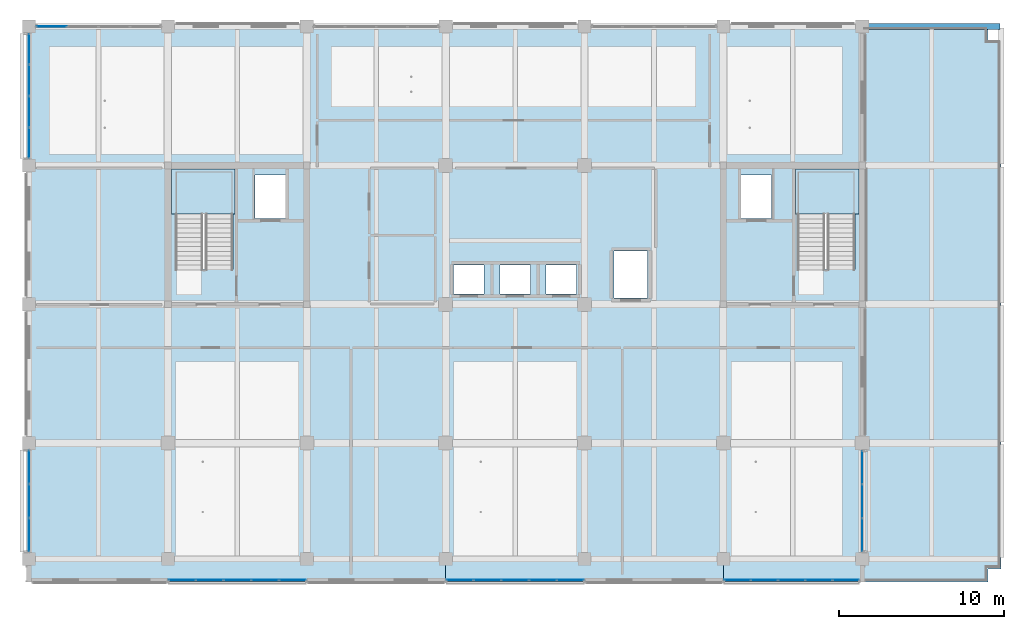
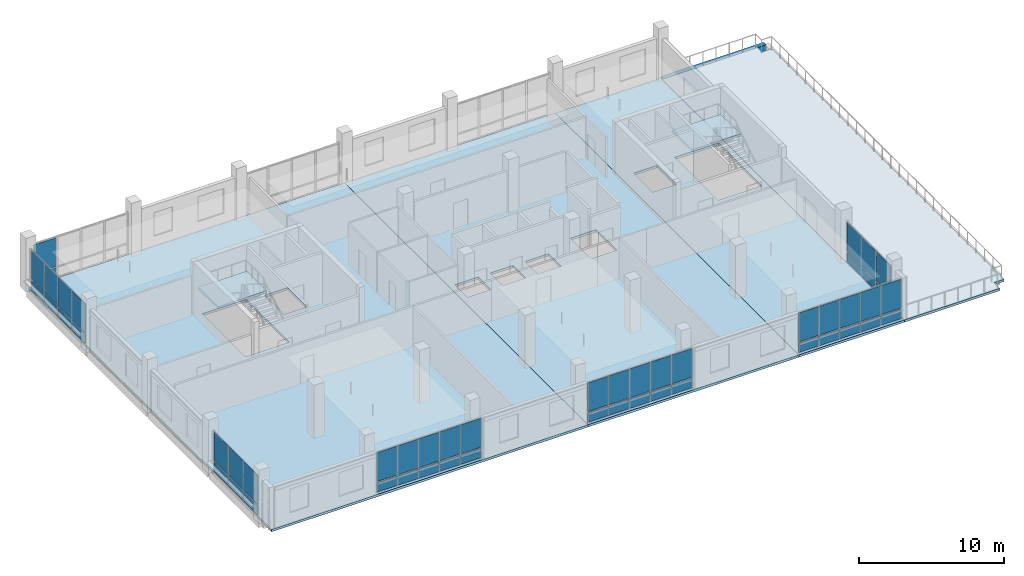
# One storey, part 10 of 36: 52 plates, 6 slabs, 1 beam, 9 elements without a shape of their own.
"""IFC4 building model written with IfcOpenShell, lengths in metres."""

import ifcopenshell
import ifcopenshell.guid

model = None  # the IFC model being written
_history = None  # IfcOwnerHistory: only IFC2X3 demands one
_inside = {}  # id of a spatial element -> (the spatial element, [elements in it])
_under = {}  # id of a project, library or spatial element -> (it, [spatial elements below it])
_declared = {}  # id of a project -> (the project, [libraries it declares])
_typed = {}  # id of a type object -> (the type object, [elements of that type])
_made_of = {}  # id of a material, layer set ... -> (it, [elements and type objects made of it])


def new_model(schema):
    """Start an empty IFC model of exactly this schema.

    Asked for "IFC4X3", IfcOpenShell would pick the latest addendum, in which some entities
    have other attributes; the version numbers below select the first issue.
    IFC2X3 requires an IfcOwnerHistory on every rooted entity: one is made here for all.
    """
    global model, _history
    if schema == "IFC4X3":
        model = ifcopenshell.file(schema_version=(4, 3, 0, 0))
    else:
        model = ifcopenshell.file(schema=schema)
    _inside.clear()
    _under.clear()
    _declared.clear()
    _typed.clear()
    _made_of.clear()
    _history = None
    if model.schema == "IFC2X3":
        org = make("IfcOrganization", Name="unknown")
        user = make(
            "IfcPersonAndOrganization",
            ThePerson=make("IfcPerson", FamilyName="unknown"),
            TheOrganization=org,
        )
        app = make(
            "IfcApplication",
            ApplicationDeveloper=org,
            Version="unknown",
            ApplicationFullName="unknown",
            ApplicationIdentifier="unknown",
        )
        _history = make(
            "IfcOwnerHistory",
            OwningUser=user,
            OwningApplication=app,
            ChangeAction="ADDED",
            CreationDate=0,
        )
    return model


def make(cls, **values):
    """One entity of the class cls with the attributes given. An attribute that is None is left unset."""
    return model.create_entity(
        cls, **{name: value for name, value in values.items() if value is not None}
    )


def rooted(cls, **values):
    """An entity with a GlobalId (a new one), such as an element, a storey or a relation."""
    return make(cls, GlobalId=ifcopenshell.guid.new(), OwnerHistory=_history, **values)


def si_unit(unit_type, name, prefix=None):
    """IfcSIUnit, for example si_unit("LENGTHUNIT", "METRE", prefix="MILLI")."""
    return make("IfcSIUnit", UnitType=unit_type, Prefix=prefix, Name=name)


def assignment(units):
    """IfcUnitAssignment: the units of a project."""
    return None if units is None else make("IfcUnitAssignment", Units=units)


def point(xyz):
    """IfcCartesianPoint."""
    return None if xyz is None else make("IfcCartesianPoint", Coordinates=xyz)


def direction(xyz):
    """IfcDirection."""
    return None if xyz is None else make("IfcDirection", DirectionRatios=xyz)


def frame(location, z_axis=None, x_axis=None):
    """IfcAxis2Placement3D, a coordinate frame: its origin and axes. An axis left out is left unset."""
    return make(
        "IfcAxis2Placement3D",
        Location=point(location),
        Axis=direction(z_axis),
        RefDirection=direction(x_axis),
    )


def frame_2d(location, x_axis=None):
    """IfcAxis2Placement2D, a coordinate frame in the plane: its origin and x axis."""
    return make(
        "IfcAxis2Placement2D", Location=point(location), RefDirection=direction(x_axis)
    )


def origin():
    """The frame at (0, 0, 0) with its axes left unset."""
    return frame((0.0, 0.0, 0.0))


def origin_2d():
    """The frame at (0, 0) in the plane with its x axis left unset."""
    return frame_2d((0.0, 0.0))


def place(relative_to, where):
    """IfcLocalPlacement: puts the frame where relative to a parent placement (None: the world)."""
    return make(
        "IfcLocalPlacement", PlacementRelTo=relative_to, RelativePlacement=where
    )


def context(
    kind, dimensions, precision=None, world=None, true_north=None, identifier=None
):
    """IfcGeometricRepresentationContext, for example the 3D "Model" context."""
    return make(
        "IfcGeometricRepresentationContext",
        ContextIdentifier=identifier,
        ContextType=kind,
        CoordinateSpaceDimension=dimensions,
        Precision=precision,
        WorldCoordinateSystem=world,
        TrueNorth=true_north,
    )


def subcontext(parent, identifier, kind, view, scale=None):
    """IfcGeometricRepresentationSubContext, for example "Body" below "Model"."""
    return make(
        "IfcGeometricRepresentationSubContext",
        ContextIdentifier=identifier,
        ContextType=kind,
        ParentContext=parent,
        TargetScale=scale,
        TargetView=view,
    )


def project(units=None, contexts=None):
    """IfcProject with its units and contexts."""
    return rooted(
        "IfcProject",
        Name="project",
        RepresentationContexts=contexts,
        UnitsInContext=assignment(units),
    )


def spatial(cls, under=None, at=None, **own):
    """A site, building, storey or space (cls), placed at a placement, below another one or the project."""
    s = rooted(cls, ObjectPlacement=at, **own)
    if under is not None:
        _under.setdefault(under.id(), (under, []))[1].append(s)
    return s


def polyline(points):
    """IfcPolyline through the points."""
    return make("IfcPolyline", Points=[point(p) for p in points])


def profile(cls, at=None, kind="AREA", **sizes):
    """A parametric profile (cls). Its sizes go by their IFC names, for example OverallWidth=200.0."""
    return make(cls, ProfileType=kind, Position=at, **sizes)


def rectangle(**sizes):
    """IfcRectangleProfileDef."""
    return profile("IfcRectangleProfileDef", **sizes)


def outline(outer, holes=None, kind="AREA"):
    """IfcArbitraryClosedProfileDef: a profile drawn as a closed curve; with holes, ...WithVoids."""
    if holes is None:
        return make("IfcArbitraryClosedProfileDef", ProfileType=kind, OuterCurve=outer)
    return make(
        "IfcArbitraryProfileDefWithVoids",
        ProfileType=kind,
        OuterCurve=outer,
        InnerCurves=holes,
    )


def extrude(swept, where, along, depth):
    """IfcExtrudedAreaSolid: the profile swept, set in the frame where, extruded along a direction by depth."""
    return make(
        "IfcExtrudedAreaSolid",
        SweptArea=swept,
        Position=where,
        ExtrudedDirection=direction(along),
        Depth=depth,
    )


def shape(context_of_items, identifier, shape_type, items):
    """IfcShapeRepresentation: the items that make up one representation, for example the "Body"."""
    return make(
        "IfcShapeRepresentation",
        ContextOfItems=context_of_items,
        RepresentationIdentifier=identifier,
        RepresentationType=shape_type,
        Items=items,
    )


def material(Name=None, Category=None):
    """IfcMaterial."""
    return make("IfcMaterial", Name=Name, Category=Category)


def layer(
    of_material, thickness, ventilated=None, Name=None, Category=None, Priority=None
):
    """IfcMaterialLayer: one layer of a wall or slab, of a material (None: an air gap)."""
    return make(
        "IfcMaterialLayer",
        Material=of_material,
        LayerThickness=thickness,
        IsVentilated=ventilated,
        Name=Name,
        Category=Category,
        Priority=Priority,
    )


def layer_set(layers, Name=None):
    """IfcMaterialLayerSet."""
    return make("IfcMaterialLayerSet", MaterialLayers=layers, LayerSetName=Name)


def material_profile(
    of_material, cross_section, Name=None, Category=None, Priority=None
):
    """IfcMaterialProfile: a cross section and its material."""
    return make(
        "IfcMaterialProfile",
        Name=Name,
        Material=of_material,
        Profile=cross_section,
        Priority=Priority,
        Category=Category,
    )


def profile_set(profiles, Name=None, composite=None):
    """IfcMaterialProfileSet."""
    return make(
        "IfcMaterialProfileSet",
        Name=Name,
        MaterialProfiles=profiles,
        CompositeProfile=composite,
    )


def made_of(thing, what):
    """Note that an element or type object is made of a material, layer set ...; save() writes the relation."""
    if what is not None:
        _made_of.setdefault(what.id(), (what, []))[1].append(thing)
    return thing


def type_object(cls, material=None, **own):
    """A type object (cls), such as IfcWallType, which elements share."""
    return made_of(rooted(cls, **own), material)


def element(
    cls,
    number,
    at=None,
    inside=None,
    cuts=None,
    type_object=None,
    material=None,
    context=None,
    identifier="Body",
    shape_type=None,
    held_by="IfcProductDefinitionShape",
    body=None,
    shapes=None,
    **own,
):
    """One element of the class cls, such as IfcWall. Its Tag is "e" and its number.

    at: its placement. inside: the storey or other place that contains it. cuts: it is an
    opening in that element (IfcRelVoidsElement). A single representation is given by context,
    identifier, shape_type and body (its items); several are given by shapes. held_by: the class
    of the entity that holds the representations. save() writes the other relations.
    """
    e = rooted(cls, Tag="e%d" % number, ObjectPlacement=at, **own)
    if body is not None:
        shapes = [shape(context, identifier, shape_type, body)]
    if shapes is not None:
        e.Representation = make(held_by, Representations=shapes)
    if inside is not None:
        _inside.setdefault(inside.id(), (inside, []))[1].append(e)
    if cuts is not None:
        rooted(
            "IfcRelVoidsElement", RelatingBuildingElement=cuts, RelatedOpeningElement=e
        )
    if type_object is not None:
        _typed.setdefault(type_object.id(), (type_object, []))[1].append(e)
    return made_of(e, material)


def aggregate(whole, parts):
    """IfcRelAggregates: a whole, such as a stair, and the parts it consists of."""
    return rooted("IfcRelAggregates", RelatingObject=whole, RelatedObjects=parts)


def save(model, path):
    """Write the relations noted so far, then the file.

    IfcRelAggregates (storeys below a building ...), IfcRelContainedInSpatialStructure (elements
    in a storey), IfcRelDefinesByType, IfcRelAssociatesMaterial and IfcRelDeclares: one each for
    every whole, place, type object, material and project.
    """
    for whole, parts in _under.values():
        aggregate(whole, parts)
    for where, things in _inside.values():
        rooted(
            "IfcRelContainedInSpatialStructure",
            RelatedElements=things,
            RelatingStructure=where,
        )
    for kind, things in _typed.values():
        rooted("IfcRelDefinesByType", RelatedObjects=things, RelatingType=kind)
    for what, things in _made_of.values():
        rooted("IfcRelAssociatesMaterial", RelatedObjects=things, RelatingMaterial=what)
    for by, libraries in _declared.values():
        rooted("IfcRelDeclares", RelatingContext=by, RelatedDefinitions=libraries)
    model.write(path)


model = new_model("IFC4")

# Units and contexts
model_context = context("Model", 3, precision=1e-05, world=origin(), true_north=direction((0.0, 1.0)))
body_context = subcontext(model_context, "Body", "Model", "MODEL_VIEW")
ifc_project = project(units=[si_unit("LENGTHUNIT", "METRE"), si_unit("AREAUNIT", "SQUARE_METRE"), si_unit("VOLUMEUNIT", "CUBIC_METRE"), si_unit("PLANEANGLEUNIT", "RADIAN"), si_unit("MASSUNIT", "GRAM", prefix="KILO")], contexts=[model_context])

# Site, building, storey
site_placement = place(None, origin())
site = spatial("IfcSite", under=ifc_project, at=site_placement, CompositionType="ELEMENT")
building_placement = place(site_placement, origin())
building = spatial("IfcBuilding", under=site, at=building_placement, Name="Telukmera Botanical Conservatory", CompositionType="ELEMENT")
storey_placement = place(building_placement, frame((0.0, 0.0, 33.0)))
storey = spatial("IfcBuildingStorey", under=building, at=storey_placement, Name="L07", CompositionType="ELEMENT", Elevation=33.0)

# Beam
ifc_material_1 = material(Name="Precast concrete C40/50", Category="concrete")
ifc_material_profile = material_profile(ifc_material_1, rectangle(XDim=0.35009765625, YDim=0.699951171875, at=origin_2d()), Name="PC 350x700")
ifc_profile_set = profile_set([ifc_material_profile], Name="Precast concrete C40/50")
beam_type = type_object("IfcBeamType", Name="Beam_SP2", PredefinedType="SPANDREL", material=ifc_profile_set)
beam_placement = place(storey_placement, frame((100.8798828125, 42.800048828125, -0.35009765625), z_axis=(1.0, 0.0, 0.0), x_axis=(0.0, 1.0, 0.0)))
element("IfcBeam", 1, at=beam_placement, inside=storey, type_object=beam_type, Name="Tower Grid Beam L07", PredefinedType="SPANDREL", context=body_context, shape_type="SweptSolid", body=[
    extrude(rectangle(XDim=0.35009765625, YDim=0.699951171875, at=origin_2d()), origin(), (0.0, 0.0, 1.0), 8.240234375),
])

# Stair, slab
ifc_material_2 = material(Name="Concrete C40/50", Category="concrete")
stair_type = type_object("IfcStairType", Name="ST-ESC-4500", PredefinedType="HALF_TURN_STAIR", material=ifc_material_2)
stair_1_placement = place(storey_placement, origin())
stair_1 = element("IfcStair", 2, at=stair_1_placement, inside=storey, type_object=stair_type, Name="L07 Protected Escape Stair ST1", PredefinedType="HALF_TURN_STAIR")
ifc_layer_1 = layer(ifc_material_2, 0.199951171875)
ifc_layer_set_1 = layer_set([ifc_layer_1], Name="Concrete C40/50")
slab_type_1 = type_object("IfcSlabType", Name="SL-LAND-200", PredefinedType="LANDING", material=ifc_layer_set_1)
slab_1_placement = place(storey_placement, frame((0.0, 0.0, 2.050048828125)))
slab_1 = element("IfcSlab", 3, at=slab_1_placement, type_object=slab_type_1, Name="ST1 landing 1", PredefinedType="LANDING", context=body_context, shape_type="SweptSolid", body=[
    extrude(outline(polyline([(59.0048828125, 31.449951171875), (62.844970703125, 31.449951171875), (62.844970703125, 34.195068359375), (59.0048828125, 34.195068359375), (59.0048828125, 31.449951171875)])), origin(), (0.0, 0.0, 1.0), 0.199951171875),
])
aggregate(stair_1, [slab_1])

stair_2_placement = place(storey_placement, origin())
stair_2 = element("IfcStair", 4, at=stair_2_placement, inside=storey, type_object=stair_type, Name="L07 Protected Escape Stair ST2", PredefinedType="HALF_TURN_STAIR")
slab_2_placement = place(storey_placement, frame((0.0, 0.0, 2.050048828125)))
slab_2 = element("IfcSlab", 5, at=slab_2_placement, type_object=slab_type_1, Name="ST2 landing 1", PredefinedType="LANDING", context=body_context, shape_type="SweptSolid", body=[
    extrude(outline(polyline([(96.7548828125, 31.449951171875), (100.594970703125, 31.449951171875), (100.594970703125, 34.195068359375), (96.7548828125, 34.195068359375), (96.7548828125, 31.449951171875)])), origin(), (0.0, 0.0, 1.0), 0.199951171875),
])
aggregate(stair_2, [slab_2])

# Slabs
ifc_layer_2 = layer(ifc_material_2, 0.199951171875)
ifc_layer_set_2 = layer_set([ifc_layer_2], Name="Concrete C40/50")
slab_type_2 = type_object("IfcSlabType", Name="Slab_FS20", PredefinedType="FLOOR", material=ifc_layer_set_2)
slab_3_placement = place(storey_placement, frame((0.0, 0.0, -0.199951171875)))
element("IfcSlab", 6, at=slab_3_placement, inside=storey, type_object=slab_type_2, Name="Tower Floor Slab L07 (WEST)", PredefinedType="FLOOR", context=body_context, shape_type="SweptSolid", body=[
    extrude(outline(polyline([(50.39990234375, 9.199951171875), (75.60009765625, 9.199951171875), (75.60009765625, 42.800048828125), (50.39990234375, 42.800048828125), (50.39990234375, 9.199951171875)]), holes=[polyline([(62.72998046875, 28.093017578125), (62.72998046875, 34.050048828125), (59.25, 34.050048828125), (59.25, 28.093017578125), (62.72998046875, 28.093017578125)]), polyline([(64.080078125, 31.179931640625), (65.919921875, 31.179931640625), (65.919921875, 33.820068359375), (64.080078125, 33.820068359375), (64.080078125, 31.179931640625)])]), origin(), (0.0, 0.0, 1.0), 0.199951171875),
])
slab_4_placement = place(storey_placement, frame((0.0, 0.0, -0.199951171875)))
element("IfcSlab", 7, at=slab_4_placement, inside=storey, type_object=slab_type_2, Name="Tower Floor Slab L07 (CENT)", PredefinedType="FLOOR", context=body_context, shape_type="SweptSolid", body=[
    extrude(outline(polyline([(75.60009765625, 9.199951171875), (92.39990234375, 9.199951171875), (92.39990234375, 42.800048828125), (75.60009765625, 42.800048828125), (75.60009765625, 9.199951171875)]), holes=[polyline([(85.780029296875, 26.3798828125), (87.820068359375, 26.3798828125), (87.820068359375, 29.219970703125), (85.780029296875, 29.219970703125), (85.780029296875, 26.3798828125)]), polyline([(76.080078125, 26.6298828125), (77.919921875, 26.6298828125), (77.919921875, 28.3701171875), (76.080078125, 28.3701171875), (76.080078125, 26.6298828125)]), polyline([(78.8798828125, 26.6298828125), (80.719970703125, 26.6298828125), (80.719970703125, 28.3701171875), (78.8798828125, 28.3701171875), (78.8798828125, 26.6298828125)]), polyline([(81.679931640625, 26.6298828125), (83.52001953125, 26.6298828125), (83.52001953125, 28.3701171875), (81.679931640625, 28.3701171875), (81.679931640625, 26.6298828125)])]), origin(), (0.0, 0.0, 1.0), 0.199951171875),
])
slab_5_placement = place(storey_placement, frame((0.0, 0.0, -0.199951171875)))
element("IfcSlab", 8, at=slab_5_placement, inside=storey, type_object=slab_type_2, Name="Tower Floor Slab L07 (EAST)", PredefinedType="FLOOR", context=body_context, shape_type="SweptSolid", body=[
    extrude(outline(polyline([(92.39990234375, 9.199951171875), (100.800048828125, 9.199951171875), (100.800048828125, 42.800048828125), (92.39990234375, 42.800048828125), (92.39990234375, 9.199951171875)]), holes=[polyline([(100.35009765625, 28.093017578125), (100.35009765625, 34.050048828125), (96.8701171875, 34.050048828125), (96.8701171875, 28.093017578125), (100.35009765625, 28.093017578125)]), polyline([(93.47998046875, 31.179931640625), (95.320068359375, 31.179931640625), (95.320068359375, 33.820068359375), (93.47998046875, 33.820068359375), (93.47998046875, 31.179931640625)])]), origin(), (0.0, 0.0, 1.0), 0.199951171875),
])
ifc_layer_3 = layer(ifc_material_2, 0.199951171875)
ifc_layer_set_3 = layer_set([ifc_layer_3], Name="Concrete C40/50")
slab_type_3 = type_object("IfcSlabType", Name="Slab_TS20", PredefinedType="FLOOR", material=ifc_layer_set_3)
slab_6_placement = place(storey_placement, frame((0.0, 0.0, -0.199951171875)))
element("IfcSlab", 9, at=slab_6_placement, inside=storey, type_object=slab_type_3, Name="Tower Botanical Sky Terrace Slab L07", PredefinedType="FLOOR", context=body_context, shape_type="SweptSolid", body=[
    extrude(outline(polyline([(100.800048828125, 9.199951171875), (108.39990234375, 9.199951171875), (108.39990234375, 10.0), (109.199951171875, 10.0), (109.199951171875, 42.0), (108.39990234375, 42.0), (108.39990234375, 42.800048828125), (100.800048828125, 42.800048828125), (100.800048828125, 9.199951171875)])), origin(), (0.0, 0.0, 1.0), 0.199951171875),
])

# Curtain wall, plates
ifc_material_3 = material(Name="Anodised aluminium 6063-T6", Category="aluminium")
ifc_layer_4 = layer(ifc_material_3, 0.179931640625)
ifc_layer_set_4 = layer_set([ifc_layer_4], Name="Anodised aluminium 6063-T6")
curtain_wall_type = type_object("IfcCurtainWallType", Name="Tower Research Laboratory Unitised Curtain Wall", PredefinedType="USERDEFINED", material=ifc_layer_set_4)
curtain_wall_1_placement = place(storey_placement, origin())
curtain_wall_1 = element("IfcCurtainWall", 10, at=curtain_wall_1_placement, inside=storey, type_object=curtain_wall_type, Name="Unitised Curtain Wall CW15 V4:L07:S2", ObjectType="UNITISED CURTAIN WALL", PredefinedType="USERDEFINED")
ifc_material_4 = material(Name="Spectrally selective low-E double glazing", Category="glass")
ifc_layer_5 = layer(ifc_material_4, 0.028076171875)
ifc_layer_set_5 = layer_set([ifc_layer_5], Name="Spectrally selective low-E double glazing")
plate_type = type_object("IfcPlateType", Name="Spectrally Selective Vision Double Glazing Panel 28", PredefinedType="CURTAIN_PANEL", material=ifc_layer_set_5)
plate_1_placement = place(storey_placement, frame((59.656494140625, 9.320068359375, 0.10986328125), z_axis=(0.0, 0.0, 1.0), x_axis=(1.0, 0.0, 0.0)))
plate_1 = element("IfcPlate", 11, at=plate_1_placement, type_object=plate_type, Name="CW15 panel 1.1", PredefinedType="CURTAIN_PANEL", context=body_context, shape_type="SweptSolid", body=[
    extrude(rectangle(XDim=1.589111328125, YDim=0.028076171875, at=origin_2d()), origin(), (0.0, 0.0, 1.0), 0.784912109375),
])
plate_2_placement = place(storey_placement, frame((59.656494140625, 9.320068359375, 1.0048828125), z_axis=(0.0, 0.0, 1.0), x_axis=(1.0, 0.0, 0.0)))
plate_2 = element("IfcPlate", 12, at=plate_2_placement, type_object=plate_type, Name="CW15 panel 1.2", PredefinedType="CURTAIN_PANEL", context=body_context, shape_type="SweptSolid", body=[
    extrude(rectangle(XDim=1.589111328125, YDim=0.028076171875, at=origin_2d()), origin(), (0.0, 0.0, 1.0), 2.43505859375),
])
plate_3_placement = place(storey_placement, frame((61.32080078125, 9.320068359375, 0.10986328125), z_axis=(0.0, 0.0, 1.0), x_axis=(1.0, 0.0, 0.0)))
plate_3 = element("IfcPlate", 13, at=plate_3_placement, type_object=plate_type, Name="CW15 panel 2.1", PredefinedType="CURTAIN_PANEL", context=body_context, shape_type="SweptSolid", body=[
    extrude(rectangle(XDim=1.619140625, YDim=0.028076171875, at=origin_2d()), origin(), (0.0, 0.0, 1.0), 0.784912109375),
])
plate_4_placement = place(storey_placement, frame((61.32080078125, 9.320068359375, 1.0048828125), z_axis=(0.0, 0.0, 1.0), x_axis=(1.0, 0.0, 0.0)))
plate_4 = element("IfcPlate", 14, at=plate_4_placement, type_object=plate_type, Name="CW15 panel 2.2", PredefinedType="CURTAIN_PANEL", context=body_context, shape_type="SweptSolid", body=[
    extrude(rectangle(XDim=1.619140625, YDim=0.028076171875, at=origin_2d()), origin(), (0.0, 0.0, 1.0), 2.43505859375),
])
plate_5_placement = place(storey_placement, frame((63.0, 9.320068359375, 0.10986328125), z_axis=(0.0, 0.0, 1.0), x_axis=(1.0, 0.0, 0.0)))
plate_5 = element("IfcPlate", 15, at=plate_5_placement, type_object=plate_type, Name="CW15 panel 3.1", PredefinedType="CURTAIN_PANEL", context=body_context, shape_type="SweptSolid", body=[
    extrude(rectangle(XDim=1.619140625, YDim=0.028076171875, at=origin_2d()), origin(), (0.0, 0.0, 1.0), 0.784912109375),
])
plate_6_placement = place(storey_placement, frame((63.0, 9.320068359375, 1.0048828125), z_axis=(0.0, 0.0, 1.0), x_axis=(1.0, 0.0, 0.0)))
plate_6 = element("IfcPlate", 16, at=plate_6_placement, type_object=plate_type, Name="CW15 panel 3.2", PredefinedType="CURTAIN_PANEL", context=body_context, shape_type="SweptSolid", body=[
    extrude(rectangle(XDim=1.619140625, YDim=0.028076171875, at=origin_2d()), origin(), (0.0, 0.0, 1.0), 2.43505859375),
])
plate_7_placement = place(storey_placement, frame((64.67919921875, 9.320068359375, 0.10986328125), z_axis=(0.0, 0.0, 1.0), x_axis=(1.0, 0.0, 0.0)))
plate_7 = element("IfcPlate", 17, at=plate_7_placement, type_object=plate_type, Name="CW15 panel 4.1", PredefinedType="CURTAIN_PANEL", context=body_context, shape_type="SweptSolid", body=[
    extrude(rectangle(XDim=1.619140625, YDim=0.028076171875, at=origin_2d()), origin(), (0.0, 0.0, 1.0), 0.784912109375),
])
plate_8_placement = place(storey_placement, frame((64.67919921875, 9.320068359375, 1.0048828125), z_axis=(0.0, 0.0, 1.0), x_axis=(1.0, 0.0, 0.0)))
plate_8 = element("IfcPlate", 18, at=plate_8_placement, type_object=plate_type, Name="CW15 panel 4.2", PredefinedType="CURTAIN_PANEL", context=body_context, shape_type="SweptSolid", body=[
    extrude(rectangle(XDim=1.619140625, YDim=0.028076171875, at=origin_2d()), origin(), (0.0, 0.0, 1.0), 2.43505859375),
])
plate_9_placement = place(storey_placement, frame((66.343505859375, 9.320068359375, 0.10986328125), z_axis=(0.0, 0.0, 1.0), x_axis=(1.0, 0.0, 0.0)))
plate_9 = element("IfcPlate", 19, at=plate_9_placement, type_object=plate_type, Name="CW15 panel 5.1", PredefinedType="CURTAIN_PANEL", context=body_context, shape_type="SweptSolid", body=[
    extrude(rectangle(XDim=1.589111328125, YDim=0.028076171875, at=origin_2d()), origin(), (0.0, 0.0, 1.0), 0.784912109375),
])
plate_10_placement = place(storey_placement, frame((66.343505859375, 9.320068359375, 1.0048828125), z_axis=(0.0, 0.0, 1.0), x_axis=(1.0, 0.0, 0.0)))
plate_10 = element("IfcPlate", 20, at=plate_10_placement, type_object=plate_type, Name="CW15 panel 5.2", PredefinedType="CURTAIN_PANEL", context=body_context, shape_type="SweptSolid", body=[
    extrude(rectangle(XDim=1.589111328125, YDim=0.028076171875, at=origin_2d()), origin(), (0.0, 0.0, 1.0), 2.43505859375),
])
aggregate(curtain_wall_1, [plate_1, plate_2, plate_3, plate_4, plate_5, plate_6, plate_7, plate_8, plate_9, plate_10])

curtain_wall_2_placement = place(storey_placement, origin())
curtain_wall_2 = element("IfcCurtainWall", 21, at=curtain_wall_2_placement, inside=storey, type_object=curtain_wall_type, Name="Unitised Curtain Wall CW15 V4:L07:S4", ObjectType="UNITISED CURTAIN WALL", PredefinedType="USERDEFINED")
plate_11_placement = place(storey_placement, frame((76.45654296875, 9.320068359375, 0.10986328125), z_axis=(0.0, 0.0, 1.0), x_axis=(1.0, 0.0, 0.0)))
plate_11 = element("IfcPlate", 22, at=plate_11_placement, type_object=plate_type, Name="CW15 panel 1.1", PredefinedType="CURTAIN_PANEL", context=body_context, shape_type="SweptSolid", body=[
    extrude(rectangle(XDim=1.589111328125, YDim=0.028076171875, at=origin_2d()), origin(), (0.0, 0.0, 1.0), 0.784912109375),
])
plate_12_placement = place(storey_placement, frame((76.45654296875, 9.320068359375, 1.0048828125), z_axis=(0.0, 0.0, 1.0), x_axis=(1.0, 0.0, 0.0)))
plate_12 = element("IfcPlate", 23, at=plate_12_placement, type_object=plate_type, Name="CW15 panel 1.2", PredefinedType="CURTAIN_PANEL", context=body_context, shape_type="SweptSolid", body=[
    extrude(rectangle(XDim=1.589111328125, YDim=0.028076171875, at=origin_2d()), origin(), (0.0, 0.0, 1.0), 2.43505859375),
])
plate_13_placement = place(storey_placement, frame((78.120849609375, 9.320068359375, 0.10986328125), z_axis=(0.0, 0.0, 1.0), x_axis=(1.0, 0.0, 0.0)))
plate_13 = element("IfcPlate", 24, at=plate_13_placement, type_object=plate_type, Name="CW15 panel 2.1", PredefinedType="CURTAIN_PANEL", context=body_context, shape_type="SweptSolid", body=[
    extrude(rectangle(XDim=1.619140625, YDim=0.028076171875, at=origin_2d()), origin(), (0.0, 0.0, 1.0), 0.784912109375),
])
plate_14_placement = place(storey_placement, frame((78.120849609375, 9.320068359375, 1.0048828125), z_axis=(0.0, 0.0, 1.0), x_axis=(1.0, 0.0, 0.0)))
plate_14 = element("IfcPlate", 25, at=plate_14_placement, type_object=plate_type, Name="CW15 panel 2.2", PredefinedType="CURTAIN_PANEL", context=body_context, shape_type="SweptSolid", body=[
    extrude(rectangle(XDim=1.619140625, YDim=0.028076171875, at=origin_2d()), origin(), (0.0, 0.0, 1.0), 2.43505859375),
])
plate_15_placement = place(storey_placement, frame((79.800048828125, 9.320068359375, 0.10986328125), z_axis=(0.0, 0.0, 1.0), x_axis=(1.0, 0.0, 0.0)))
plate_15 = element("IfcPlate", 26, at=plate_15_placement, type_object=plate_type, Name="CW15 panel 3.1", PredefinedType="CURTAIN_PANEL", context=body_context, shape_type="SweptSolid", body=[
    extrude(rectangle(XDim=1.619140625, YDim=0.028076171875, at=origin_2d()), origin(), (0.0, 0.0, 1.0), 0.784912109375),
])
plate_16_placement = place(storey_placement, frame((79.800048828125, 9.320068359375, 1.0048828125), z_axis=(0.0, 0.0, 1.0), x_axis=(1.0, 0.0, 0.0)))
plate_16 = element("IfcPlate", 27, at=plate_16_placement, type_object=plate_type, Name="CW15 panel 3.2", PredefinedType="CURTAIN_PANEL", context=body_context, shape_type="SweptSolid", body=[
    extrude(rectangle(XDim=1.619140625, YDim=0.028076171875, at=origin_2d()), origin(), (0.0, 0.0, 1.0), 2.43505859375),
])
plate_17_placement = place(storey_placement, frame((81.479248046875, 9.320068359375, 0.10986328125), z_axis=(0.0, 0.0, 1.0), x_axis=(1.0, 0.0, 0.0)))
plate_17 = element("IfcPlate", 28, at=plate_17_placement, type_object=plate_type, Name="CW15 panel 4.1", PredefinedType="CURTAIN_PANEL", context=body_context, shape_type="SweptSolid", body=[
    extrude(rectangle(XDim=1.619140625, YDim=0.028076171875, at=origin_2d()), origin(), (0.0, 0.0, 1.0), 0.784912109375),
])
plate_18_placement = place(storey_placement, frame((81.479248046875, 9.320068359375, 1.0048828125), z_axis=(0.0, 0.0, 1.0), x_axis=(1.0, 0.0, 0.0)))
plate_18 = element("IfcPlate", 29, at=plate_18_placement, type_object=plate_type, Name="CW15 panel 4.2", PredefinedType="CURTAIN_PANEL", context=body_context, shape_type="SweptSolid", body=[
    extrude(rectangle(XDim=1.619140625, YDim=0.028076171875, at=origin_2d()), origin(), (0.0, 0.0, 1.0), 2.43505859375),
])
plate_19_placement = place(storey_placement, frame((83.143310546875, 9.320068359375, 0.10986328125), z_axis=(0.0, 0.0, 1.0), x_axis=(1.0, 0.0, 0.0)))
plate_19 = element("IfcPlate", 30, at=plate_19_placement, type_object=plate_type, Name="CW15 panel 5.1", PredefinedType="CURTAIN_PANEL", context=body_context, shape_type="SweptSolid", body=[
    extrude(rectangle(XDim=1.589111328125, YDim=0.028076171875, at=origin_2d()), origin(), (0.0, 0.0, 1.0), 0.784912109375),
])
plate_20_placement = place(storey_placement, frame((83.143310546875, 9.320068359375, 1.0048828125), z_axis=(0.0, 0.0, 1.0), x_axis=(1.0, 0.0, 0.0)))
plate_20 = element("IfcPlate", 31, at=plate_20_placement, type_object=plate_type, Name="CW15 panel 5.2", PredefinedType="CURTAIN_PANEL", context=body_context, shape_type="SweptSolid", body=[
    extrude(rectangle(XDim=1.589111328125, YDim=0.028076171875, at=origin_2d()), origin(), (0.0, 0.0, 1.0), 2.43505859375),
])
aggregate(curtain_wall_2, [plate_11, plate_12, plate_13, plate_14, plate_15, plate_16, plate_17, plate_18, plate_19, plate_20])

curtain_wall_3_placement = place(storey_placement, origin())
curtain_wall_3 = element("IfcCurtainWall", 32, at=curtain_wall_3_placement, inside=storey, type_object=curtain_wall_type, Name="Unitised Curtain Wall CW15 V4:L07:S6", ObjectType="UNITISED CURTAIN WALL", PredefinedType="USERDEFINED")
plate_21_placement = place(storey_placement, frame((93.24169921875, 9.320068359375, 0.10986328125), z_axis=(0.0, 0.0, 1.0), x_axis=(1.0, 0.0, 0.0)))
plate_21 = element("IfcPlate", 33, at=plate_21_placement, type_object=plate_type, Name="CW15 panel 1.1", PredefinedType="CURTAIN_PANEL", context=body_context, shape_type="SweptSolid", body=[
    extrude(rectangle(XDim=1.55908203125, YDim=0.028076171875, at=origin_2d()), origin(), (0.0, 0.0, 1.0), 0.784912109375),
])
plate_22_placement = place(storey_placement, frame((93.24169921875, 9.320068359375, 1.0048828125), z_axis=(0.0, 0.0, 1.0), x_axis=(1.0, 0.0, 0.0)))
plate_22 = element("IfcPlate", 34, at=plate_22_placement, type_object=plate_type, Name="CW15 panel 1.2", PredefinedType="CURTAIN_PANEL", context=body_context, shape_type="SweptSolid", body=[
    extrude(rectangle(XDim=1.55908203125, YDim=0.028076171875, at=origin_2d()), origin(), (0.0, 0.0, 1.0), 2.43505859375),
])
plate_23_placement = place(storey_placement, frame((94.875732421875, 9.320068359375, 0.10986328125), z_axis=(0.0, 0.0, 1.0), x_axis=(1.0, 0.0, 0.0)))
plate_23 = element("IfcPlate", 35, at=plate_23_placement, type_object=plate_type, Name="CW15 panel 2.1", PredefinedType="CURTAIN_PANEL", context=body_context, shape_type="SweptSolid", body=[
    extrude(rectangle(XDim=1.589111328125, YDim=0.028076171875, at=origin_2d()), origin(), (0.0, 0.0, 1.0), 0.784912109375),
])
plate_24_placement = place(storey_placement, frame((94.875732421875, 9.320068359375, 1.0048828125), z_axis=(0.0, 0.0, 1.0), x_axis=(1.0, 0.0, 0.0)))
plate_24 = element("IfcPlate", 36, at=plate_24_placement, type_object=plate_type, Name="CW15 panel 2.2", PredefinedType="CURTAIN_PANEL", context=body_context, shape_type="SweptSolid", body=[
    extrude(rectangle(XDim=1.589111328125, YDim=0.028076171875, at=origin_2d()), origin(), (0.0, 0.0, 1.0), 2.43505859375),
])
plate_25_placement = place(storey_placement, frame((96.52490234375, 9.320068359375, 0.10986328125), z_axis=(0.0, 0.0, 1.0), x_axis=(1.0, 0.0, 0.0)))
plate_25 = element("IfcPlate", 37, at=plate_25_placement, type_object=plate_type, Name="CW15 panel 3.1", PredefinedType="CURTAIN_PANEL", context=body_context, shape_type="SweptSolid", body=[
    extrude(rectangle(XDim=1.589111328125, YDim=0.028076171875, at=origin_2d()), origin(), (0.0, 0.0, 1.0), 0.784912109375),
])
plate_26_placement = place(storey_placement, frame((96.52490234375, 9.320068359375, 1.0048828125), z_axis=(0.0, 0.0, 1.0), x_axis=(1.0, 0.0, 0.0)))
plate_26 = element("IfcPlate", 38, at=plate_26_placement, type_object=plate_type, Name="CW15 panel 3.2", PredefinedType="CURTAIN_PANEL", context=body_context, shape_type="SweptSolid", body=[
    extrude(rectangle(XDim=1.589111328125, YDim=0.028076171875, at=origin_2d()), origin(), (0.0, 0.0, 1.0), 2.43505859375),
])
plate_27_placement = place(storey_placement, frame((98.17431640625, 9.320068359375, 0.10986328125), z_axis=(0.0, 0.0, 1.0), x_axis=(1.0, 0.0, 0.0)))
plate_27 = element("IfcPlate", 39, at=plate_27_placement, type_object=plate_type, Name="CW15 panel 4.1", PredefinedType="CURTAIN_PANEL", context=body_context, shape_type="SweptSolid", body=[
    extrude(rectangle(XDim=1.589111328125, YDim=0.028076171875, at=origin_2d()), origin(), (0.0, 0.0, 1.0), 0.784912109375),
])
plate_28_placement = place(storey_placement, frame((98.17431640625, 9.320068359375, 1.0048828125), z_axis=(0.0, 0.0, 1.0), x_axis=(1.0, 0.0, 0.0)))
plate_28 = element("IfcPlate", 40, at=plate_28_placement, type_object=plate_type, Name="CW15 panel 4.2", PredefinedType="CURTAIN_PANEL", context=body_context, shape_type="SweptSolid", body=[
    extrude(rectangle(XDim=1.589111328125, YDim=0.028076171875, at=origin_2d()), origin(), (0.0, 0.0, 1.0), 2.43505859375),
])
plate_29_placement = place(storey_placement, frame((99.808349609375, 9.320068359375, 0.10986328125), z_axis=(0.0, 0.0, 1.0), x_axis=(1.0, 0.0, 0.0)))
plate_29 = element("IfcPlate", 41, at=plate_29_placement, type_object=plate_type, Name="CW15 panel 5.1", PredefinedType="CURTAIN_PANEL", context=body_context, shape_type="SweptSolid", body=[
    extrude(rectangle(XDim=1.55908203125, YDim=0.028076171875, at=origin_2d()), origin(), (0.0, 0.0, 1.0), 0.784912109375),
])
plate_30_placement = place(storey_placement, frame((99.808349609375, 9.320068359375, 1.0048828125), z_axis=(0.0, 0.0, 1.0), x_axis=(1.0, 0.0, 0.0)))
plate_30 = element("IfcPlate", 42, at=plate_30_placement, type_object=plate_type, Name="CW15 panel 5.2", PredefinedType="CURTAIN_PANEL", context=body_context, shape_type="SweptSolid", body=[
    extrude(rectangle(XDim=1.55908203125, YDim=0.028076171875, at=origin_2d()), origin(), (0.0, 0.0, 1.0), 2.43505859375),
])
aggregate(curtain_wall_3, [plate_21, plate_22, plate_23, plate_24, plate_25, plate_26, plate_27, plate_28, plate_29, plate_30])

curtain_wall_4_placement = place(storey_placement, origin())
curtain_wall_4 = element("IfcCurtainWall", 43, at=curtain_wall_4_placement, inside=storey, type_object=curtain_wall_type, Name="Unitised Curtain Wall CW15 V4:L07:N1", ObjectType="UNITISED CURTAIN WALL", PredefinedType="USERDEFINED")
plate_31_placement = place(storey_placement, frame((51.7666015625, 42.800048828125, 0.10986328125), z_axis=(0.0, 0.0, 1.0), x_axis=(1.0, 0.0, 0.0)))
plate_31 = element("IfcPlate", 44, at=plate_31_placement, type_object=plate_type, Name="CW15 panel 1.1", PredefinedType="CURTAIN_PANEL", context=body_context, shape_type="SweptSolid", body=[
    extrude(rectangle(XDim=1.80908203125, YDim=0.028076171875, at=origin_2d()), origin(), (0.0, 0.0, 1.0), 0.784912109375),
])
plate_32_placement = place(storey_placement, frame((51.7666015625, 42.800048828125, 1.0048828125), z_axis=(0.0, 0.0, 1.0), x_axis=(1.0, 0.0, 0.0)))
plate_32 = element("IfcPlate", 45, at=plate_32_placement, type_object=plate_type, Name="CW15 panel 1.2", PredefinedType="CURTAIN_PANEL", context=body_context, shape_type="SweptSolid", body=[
    extrude(rectangle(XDim=1.80908203125, YDim=0.028076171875, at=origin_2d()), origin(), (0.0, 0.0, 1.0), 2.43505859375),
])
aggregate(curtain_wall_4, [plate_31, plate_32])

curtain_wall_5_placement = place(storey_placement, origin())
curtain_wall_5 = element("IfcCurtainWall", 46, at=curtain_wall_5_placement, inside=storey, type_object=curtain_wall_type, Name="Unitised Curtain Wall CW15 V4:L07:W1", ObjectType="UNITISED CURTAIN WALL", PredefinedType="USERDEFINED")
plate_33_placement = place(storey_placement, frame((50.39990234375, 12.049560546875, 0.10986328125), z_axis=(0.0, 0.0, 1.0), x_axis=(0.0, 1.0, 0.0)))
plate_33 = element("IfcPlate", 47, at=plate_33_placement, type_object=plate_type, Name="CW15 panel 1.1", PredefinedType="CURTAIN_PANEL", context=body_context, shape_type="SweptSolid", body=[
    extrude(rectangle(XDim=1.975341796875, YDim=0.028076171875, at=origin_2d()), origin(), (0.0, 0.0, 1.0), 0.784912109375),
])
plate_34_placement = place(storey_placement, frame((50.39990234375, 12.049560546875, 1.0048828125), z_axis=(0.0, 0.0, 1.0), x_axis=(0.0, 1.0, 0.0)))
plate_34 = element("IfcPlate", 48, at=plate_34_placement, type_object=plate_type, Name="CW15 panel 1.2", PredefinedType="CURTAIN_PANEL", context=body_context, shape_type="SweptSolid", body=[
    extrude(rectangle(XDim=1.975341796875, YDim=0.028076171875, at=origin_2d()), origin(), (0.0, 0.0, 1.0), 2.43505859375),
])
plate_35_placement = place(storey_placement, frame((50.39990234375, 14.10009765625, 0.10986328125), z_axis=(0.0, 0.0, 1.0), x_axis=(0.0, 1.0, 0.0)))
plate_35 = element("IfcPlate", 49, at=plate_35_placement, type_object=plate_type, Name="CW15 panel 2.1", PredefinedType="CURTAIN_PANEL", context=body_context, shape_type="SweptSolid", body=[
    extrude(rectangle(XDim=2.00537109375, YDim=0.028076171875, at=origin_2d()), origin(), (0.0, 0.0, 1.0), 0.784912109375),
])
plate_36_placement = place(storey_placement, frame((50.39990234375, 14.10009765625, 1.0048828125), z_axis=(0.0, 0.0, 1.0), x_axis=(0.0, 1.0, 0.0)))
plate_36 = element("IfcPlate", 50, at=plate_36_placement, type_object=plate_type, Name="CW15 panel 2.2", PredefinedType="CURTAIN_PANEL", context=body_context, shape_type="SweptSolid", body=[
    extrude(rectangle(XDim=2.00537109375, YDim=0.028076171875, at=origin_2d()), origin(), (0.0, 0.0, 1.0), 2.43505859375),
])
plate_37_placement = place(storey_placement, frame((50.39990234375, 16.150390625, 0.10986328125), z_axis=(0.0, 0.0, 1.0), x_axis=(0.0, 1.0, 0.0)))
plate_37 = element("IfcPlate", 51, at=plate_37_placement, type_object=plate_type, Name="CW15 panel 3.1", PredefinedType="CURTAIN_PANEL", context=body_context, shape_type="SweptSolid", body=[
    extrude(rectangle(XDim=1.975341796875, YDim=0.028076171875, at=origin_2d()), origin(), (0.0, 0.0, 1.0), 0.784912109375),
])
plate_38_placement = place(storey_placement, frame((50.39990234375, 16.150390625, 1.0048828125), z_axis=(0.0, 0.0, 1.0), x_axis=(0.0, 1.0, 0.0)))
plate_38 = element("IfcPlate", 52, at=plate_38_placement, type_object=plate_type, Name="CW15 panel 3.2", PredefinedType="CURTAIN_PANEL", context=body_context, shape_type="SweptSolid", body=[
    extrude(rectangle(XDim=1.975341796875, YDim=0.028076171875, at=origin_2d()), origin(), (0.0, 0.0, 1.0), 2.43505859375),
])
aggregate(curtain_wall_5, [plate_33, plate_34, plate_35, plate_36, plate_37, plate_38])

curtain_wall_6_placement = place(storey_placement, origin())
curtain_wall_6 = element("IfcCurtainWall", 53, at=curtain_wall_6_placement, inside=storey, type_object=curtain_wall_type, Name="Unitised Curtain Wall CW15 V4:L07:E1", ObjectType="UNITISED CURTAIN WALL", PredefinedType="USERDEFINED")
plate_39_placement = place(storey_placement, frame((100.800048828125, 12.04541015625, 0.10986328125), z_axis=(0.0, 0.0, 1.0), x_axis=(0.0, 1.0, 0.0)))
plate_39 = element("IfcPlate", 54, at=plate_39_placement, type_object=plate_type, Name="CW15 panel 1.1", PredefinedType="CURTAIN_PANEL", context=body_context, shape_type="SweptSolid", body=[
    extrude(rectangle(XDim=1.967041015625, YDim=0.028076171875, at=origin_2d()), origin(), (0.0, 0.0, 1.0), 0.784912109375),
])
plate_40_placement = place(storey_placement, frame((100.800048828125, 12.04541015625, 1.0048828125), z_axis=(0.0, 0.0, 1.0), x_axis=(0.0, 1.0, 0.0)))
plate_40 = element("IfcPlate", 55, at=plate_40_placement, type_object=plate_type, Name="CW15 panel 1.2", PredefinedType="CURTAIN_PANEL", context=body_context, shape_type="SweptSolid", body=[
    extrude(rectangle(XDim=1.967041015625, YDim=0.028076171875, at=origin_2d()), origin(), (0.0, 0.0, 1.0), 2.43505859375),
])
plate_41_placement = place(storey_placement, frame((100.800048828125, 14.08740234375, 0.10986328125), z_axis=(0.0, 0.0, 1.0), x_axis=(0.0, 1.0, 0.0)))
plate_41 = element("IfcPlate", 56, at=plate_41_placement, type_object=plate_type, Name="CW15 panel 2.1", PredefinedType="CURTAIN_PANEL", context=body_context, shape_type="SweptSolid", body=[
    extrude(rectangle(XDim=1.9970703125, YDim=0.028076171875, at=origin_2d()), origin(), (0.0, 0.0, 1.0), 0.784912109375),
])
plate_42_placement = place(storey_placement, frame((100.800048828125, 14.08740234375, 1.0048828125), z_axis=(0.0, 0.0, 1.0), x_axis=(0.0, 1.0, 0.0)))
plate_42 = element("IfcPlate", 57, at=plate_42_placement, type_object=plate_type, Name="CW15 panel 2.2", PredefinedType="CURTAIN_PANEL", context=body_context, shape_type="SweptSolid", body=[
    extrude(rectangle(XDim=1.9970703125, YDim=0.028076171875, at=origin_2d()), origin(), (0.0, 0.0, 1.0), 2.43505859375),
])
plate_43_placement = place(storey_placement, frame((100.800048828125, 16.12939453125, 0.10986328125), z_axis=(0.0, 0.0, 1.0), x_axis=(0.0, 1.0, 0.0)))
plate_43 = element("IfcPlate", 58, at=plate_43_placement, type_object=plate_type, Name="CW15 panel 3.1", PredefinedType="CURTAIN_PANEL", context=body_context, shape_type="SweptSolid", body=[
    extrude(rectangle(XDim=1.967041015625, YDim=0.028076171875, at=origin_2d()), origin(), (0.0, 0.0, 1.0), 0.784912109375),
])
plate_44_placement = place(storey_placement, frame((100.800048828125, 16.12939453125, 1.0048828125), z_axis=(0.0, 0.0, 1.0), x_axis=(0.0, 1.0, 0.0)))
plate_44 = element("IfcPlate", 59, at=plate_44_placement, type_object=plate_type, Name="CW15 panel 3.2", PredefinedType="CURTAIN_PANEL", context=body_context, shape_type="SweptSolid", body=[
    extrude(rectangle(XDim=1.967041015625, YDim=0.028076171875, at=origin_2d()), origin(), (0.0, 0.0, 1.0), 2.43505859375),
])
aggregate(curtain_wall_6, [plate_39, plate_40, plate_41, plate_42, plate_43, plate_44])

curtain_wall_7_placement = place(storey_placement, origin())
curtain_wall_7 = element("IfcCurtainWall", 60, at=curtain_wall_7_placement, inside=storey, type_object=curtain_wall_type, Name="Unitised Curtain Wall CW15 V4:L07:W4", ObjectType="UNITISED CURTAIN WALL", PredefinedType="USERDEFINED")
plate_45_placement = place(storey_placement, frame((50.39990234375, 35.7666015625, 0.10986328125), z_axis=(0.0, 0.0, 1.0), x_axis=(0.0, 1.0, 0.0)))
plate_45 = element("IfcPlate", 61, at=plate_45_placement, type_object=plate_type, Name="CW15 panel 1.1", PredefinedType="CURTAIN_PANEL", context=body_context, shape_type="SweptSolid", body=[
    extrude(rectangle(XDim=1.80908203125, YDim=0.028076171875, at=origin_2d()), origin(), (0.0, 0.0, 1.0), 0.784912109375),
])
plate_46_placement = place(storey_placement, frame((50.39990234375, 35.7666015625, 1.0048828125), z_axis=(0.0, 0.0, 1.0), x_axis=(0.0, 1.0, 0.0)))
plate_46 = element("IfcPlate", 62, at=plate_46_placement, type_object=plate_type, Name="CW15 panel 1.2", PredefinedType="CURTAIN_PANEL", context=body_context, shape_type="SweptSolid", body=[
    extrude(rectangle(XDim=1.80908203125, YDim=0.028076171875, at=origin_2d()), origin(), (0.0, 0.0, 1.0), 2.43505859375),
])
plate_47_placement = place(storey_placement, frame((50.39990234375, 37.650390625, 0.10986328125), z_axis=(0.0, 0.0, 1.0), x_axis=(0.0, 1.0, 0.0)))
plate_47 = element("IfcPlate", 63, at=plate_47_placement, type_object=plate_type, Name="CW15 panel 2.1", PredefinedType="CURTAIN_PANEL", context=body_context, shape_type="SweptSolid", body=[
    extrude(rectangle(XDim=1.839111328125, YDim=0.028076171875, at=origin_2d()), origin(), (0.0, 0.0, 1.0), 0.784912109375),
])
plate_48_placement = place(storey_placement, frame((50.39990234375, 37.650390625, 1.0048828125), z_axis=(0.0, 0.0, 1.0), x_axis=(0.0, 1.0, 0.0)))
plate_48 = element("IfcPlate", 64, at=plate_48_placement, type_object=plate_type, Name="CW15 panel 2.2", PredefinedType="CURTAIN_PANEL", context=body_context, shape_type="SweptSolid", body=[
    extrude(rectangle(XDim=1.839111328125, YDim=0.028076171875, at=origin_2d()), origin(), (0.0, 0.0, 1.0), 2.43505859375),
])
plate_49_placement = place(storey_placement, frame((50.39990234375, 39.549560546875, 0.10986328125), z_axis=(0.0, 0.0, 1.0), x_axis=(0.0, 1.0, 0.0)))
plate_49 = element("IfcPlate", 65, at=plate_49_placement, type_object=plate_type, Name="CW15 panel 3.1", PredefinedType="CURTAIN_PANEL", context=body_context, shape_type="SweptSolid", body=[
    extrude(rectangle(XDim=1.839111328125, YDim=0.028076171875, at=origin_2d()), origin(), (0.0, 0.0, 1.0), 0.784912109375),
])
plate_50_placement = place(storey_placement, frame((50.39990234375, 39.549560546875, 1.0048828125), z_axis=(0.0, 0.0, 1.0), x_axis=(0.0, 1.0, 0.0)))
plate_50 = element("IfcPlate", 66, at=plate_50_placement, type_object=plate_type, Name="CW15 panel 3.2", PredefinedType="CURTAIN_PANEL", context=body_context, shape_type="SweptSolid", body=[
    extrude(rectangle(XDim=1.839111328125, YDim=0.028076171875, at=origin_2d()), origin(), (0.0, 0.0, 1.0), 2.43505859375),
])
plate_51_placement = place(storey_placement, frame((50.39990234375, 41.43359375, 0.10986328125), z_axis=(0.0, 0.0, 1.0), x_axis=(0.0, 1.0, 0.0)))
plate_51 = element("IfcPlate", 67, at=plate_51_placement, type_object=plate_type, Name="CW15 panel 4.1", PredefinedType="CURTAIN_PANEL", context=body_context, shape_type="SweptSolid", body=[
    extrude(rectangle(XDim=1.80908203125, YDim=0.028076171875, at=origin_2d()), origin(), (0.0, 0.0, 1.0), 0.784912109375),
])
plate_52_placement = place(storey_placement, frame((50.39990234375, 41.43359375, 1.0048828125), z_axis=(0.0, 0.0, 1.0), x_axis=(0.0, 1.0, 0.0)))
plate_52 = element("IfcPlate", 68, at=plate_52_placement, type_object=plate_type, Name="CW15 panel 4.2", PredefinedType="CURTAIN_PANEL", context=body_context, shape_type="SweptSolid", body=[
    extrude(rectangle(XDim=1.80908203125, YDim=0.028076171875, at=origin_2d()), origin(), (0.0, 0.0, 1.0), 2.43505859375),
])
aggregate(curtain_wall_7, [plate_45, plate_46, plate_47, plate_48, plate_49, plate_50, plate_51, plate_52])

save(model, "model.ifc")
